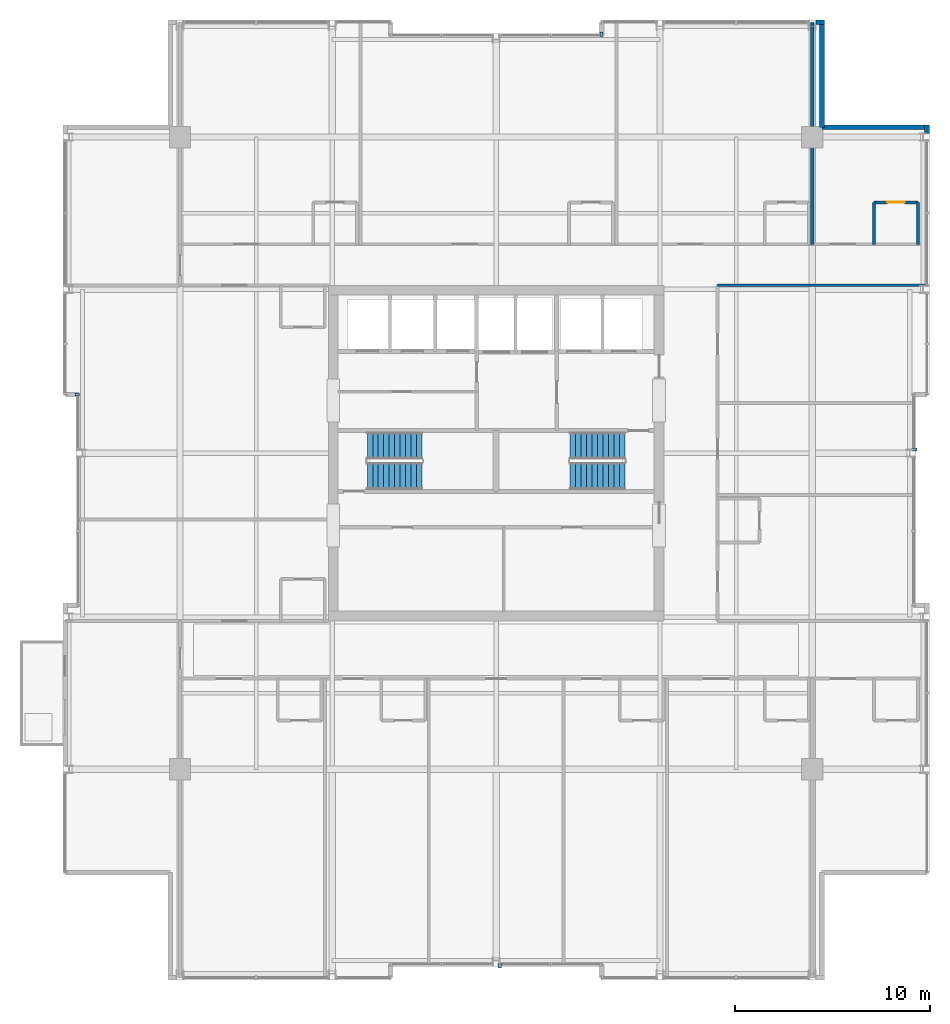
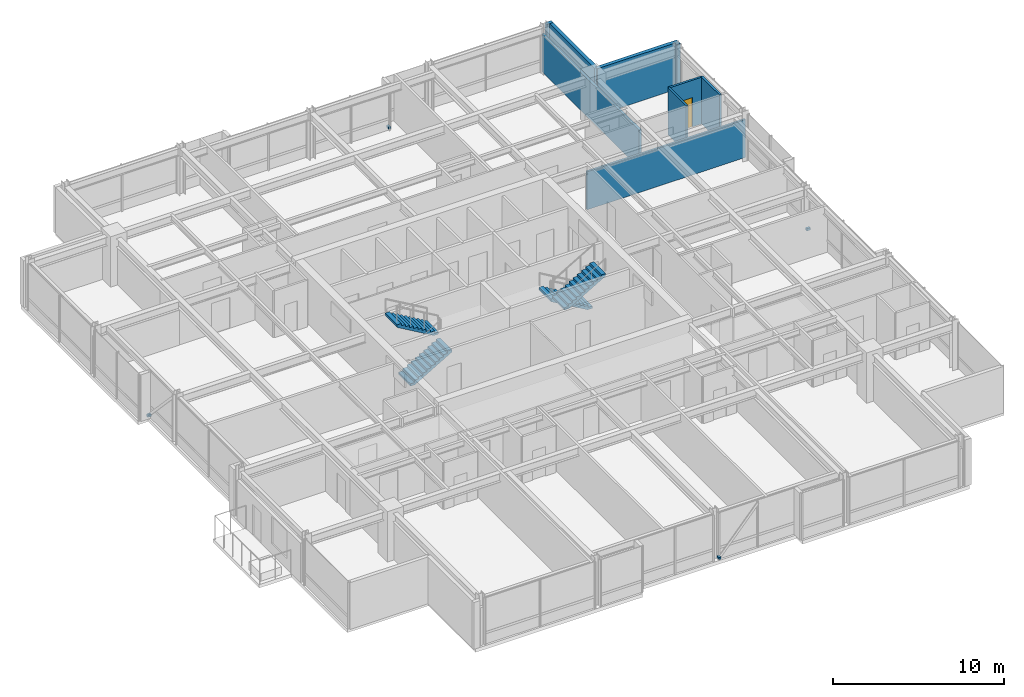
# One storey, part 29 of 32: 9 walls, 4 discrete accessories, 4 stair flights, 1 door, 1 opening, 2 elements without a shape of their own.
"""IFC4 building model written with IfcOpenShell, lengths in metres."""

from ifc_helpers import new_model, si_unit, direction, frame, frame_2d, origin, origin_2d, place, context, subcontext, project, spatial, polyline, rectangle, outline, extrude, material, layer, layer_set, type_object, element, fill, aggregate, save


model = new_model("IFC4")

# Units and contexts
model_context = context("Model", 3, precision=1e-05, world=origin(), true_north=direction((0.0, 1.0)))
body_context = subcontext(model_context, "Body", "Model", "MODEL_VIEW")
ifc_project = project(units=[si_unit("LENGTHUNIT", "METRE"), si_unit("AREAUNIT", "SQUARE_METRE"), si_unit("VOLUMEUNIT", "CUBIC_METRE"), si_unit("PLANEANGLEUNIT", "RADIAN"), si_unit("MASSUNIT", "GRAM", prefix="KILO")], contexts=[model_context])

# Site, building, storey
site_placement = place(None, origin())
site = spatial("IfcSite", under=ifc_project, at=site_placement, CompositionType="ELEMENT")
building_placement = place(site_placement, origin())
building = spatial("IfcBuilding", under=site, at=building_placement, Name="Drelvath Grand Hotel", CompositionType="ELEMENT")
storey_placement = place(building_placement, frame((0.0, 0.0, 226.699951171875)))
storey = spatial("IfcBuildingStorey", under=building, at=storey_placement, Name="L59", CompositionType="ELEMENT", Elevation=226.699951171875)

# Walls
ifc_material_1 = material(Name="Gypsum Fireboard Partition")
ifc_layer_1 = layer(ifc_material_1, 0.135009765625)
ifc_layer_set_1 = layer_set([ifc_layer_1], Name="Gypsum Fireboard Partition")
wall_type_1 = type_object("IfcWallType", Name="Corridor Fire Barrier Wall 135", PredefinedType="PARTITIONING", material=ifc_layer_set_1)
wall_1_placement = place(storey_placement, frame((11.35009765625, 35.60009765625, 0.0), z_axis=(0.0, 0.0, 1.0), x_axis=(1.0, 0.0, 0.0)))
element("IfcWall", 1, at=wall_1_placement, inside=storey, type_object=wall_type_1, Name="L59 North Gallery Inner East Wall", PredefinedType="PARTITIONING", context=body_context, shape_type="SweptSolid", body=[
    extrude(rectangle(XDim=10.72998046875, YDim=0.135009765625, at=frame_2d((5.364990234375, 0.0))), origin(), (0.0, 0.0, 1.0), 2.717529296875),
])
ifc_material_2 = material(Name="Moisture-Resistant Gypsum Board")
ifc_layer_2 = layer(ifc_material_2, 0.139892578125)
ifc_layer_set_2 = layer_set([ifc_layer_2], Name="Moisture-Resistant Gypsum Board")
wall_type_2 = type_object("IfcWallType", Name="En-Suite Plumbing Wall 140", PredefinedType="PLUMBINGWALL", material=ifc_layer_set_2)
for number, where, z_axis, x_axis, name in (
    (2, (19.3701171875, 37.699951171875, 0.0), (0.0, 0.0, 1.0), (0.0, 1.0, 0.0), "L59 En-Suite Left Wall"),
    (3, (21.6201171875, 37.699951171875, 0.0), (0.0, 0.0, 1.0), (0.0, 1.0, 0.0), "L59 En-Suite Right Wall"),
):
    element("IfcWall", number, at=place(storey_placement, frame(where, z_axis=z_axis, x_axis=x_axis)), inside=storey, type_object=wall_type_2, Name=name, PredefinedType="PLUMBINGWALL", context=body_context, shape_type="SweptSolid", body=[
        extrude(rectangle(XDim=2.150146484375, YDim=0.139892578125, at=frame_2d((1.0751953125, 0.0))), origin(), (0.0, 0.0, 1.0), 3.340087890625),
    ])

# Wall, opening, door
wall_2_placement = place(storey_placement, frame((19.3701171875, 39.85009765625, 0.0), z_axis=(0.0, 0.0, 1.0), x_axis=(1.0, 0.0, 0.0)))
wall_2 = element("IfcWall", 4, at=wall_2_placement, inside=storey, type_object=wall_type_2, Name="L59 En-Suite Front Wall", PredefinedType="PLUMBINGWALL", context=body_context, shape_type="SweptSolid", body=[
    extrude(rectangle(XDim=2.25, YDim=0.139892578125, at=frame_2d((1.125, 0.0))), origin(), (0.0, 0.0, 1.0), 3.340087890625),
])
opening_placement = place(wall_2_placement, frame((0.68505859375, 0.0, 0.0)))
opening = element("IfcOpeningElement", 5, at=opening_placement, cuts=wall_2, Name="Opening D-T4G3-021", PredefinedType="OPENING", context=body_context, shape_type="SweptSolid", body=[
    extrude(rectangle(XDim=0.8798828125, YDim=2.10009765625, at=frame_2d((0.43994140625, 1.050048828125))), frame((0.0, 0.079833984375, 0.0), z_axis=(0.0, -1.0, 0.0), x_axis=(1.0, 0.0, 0.0)), (0.0, 0.0, 1.0), 0.159912109375),
])
ifc_material_3 = material(Name="Hardwood Walnut Timber", Category="wood")
door_type = type_object("IfcDoorType", Name="En-Suite Bathroom Door 880x2100", OperationType="NOTDEFINED", PredefinedType="DOOR", material=ifc_material_3)
door_placement = place(opening_placement, origin())
door = element("IfcDoor", 6, at=door_placement, inside=storey, type_object=door_type, Name="L59 En-Suite Bathroom Door", OperationType="SINGLE_SWING_RIGHT", OverallHeight=2.10009765625, OverallWidth=0.8798828125, PredefinedType="DOOR", context=body_context, shape_type="SweptSolid", body=[
    extrude(rectangle(XDim=0.8798828125, YDim=2.10009765625, at=frame_2d((0.43994140625, 1.050048828125))), frame((0.0, 0.02490234375, 0.0), z_axis=(0.0, -1.0, 0.0), x_axis=(1.0, 0.0, 0.0)), (0.0, 0.0, 1.0), 0.050048828125),
])
fill(opening, door)

# Walls
ifc_material_4 = material(Name="Gypsum Acoustic Partition")
ifc_layer_3 = layer(ifc_material_4, 0.1650390625)
ifc_layer_set_3 = layer_set([ifc_layer_3], Name="Gypsum Acoustic Partition")
wall_type_3 = type_object("IfcWallType", Name="Suite Demising Wall 165", PredefinedType="PARTITIONING", material=ifc_layer_set_3)
wall_3_placement = place(storey_placement, frame((16.199951171875, 37.699951171875, 0.0), z_axis=(0.0, 0.0, 1.0), x_axis=(0.0, 1.0, 0.0)))
element("IfcWall", 7, at=wall_3_placement, inside=storey, type_object=wall_type_3, Name="L59 NE Suite Wall", PredefinedType="PARTITIONING", context=body_context, shape_type="SweptSolid", body=[
    extrude(rectangle(XDim=11.380126953125, YDim=0.1650390625, at=frame_2d((5.68994140625, 0.0))), origin(), (0.0, 0.0, 1.0), 2.7138671875),
])
ifc_material_5 = material(Name="Pale-Metal Insulated Aluminium Spandrel Assembly", Category="aluminium")
ifc_layer_4 = layer(ifc_material_5, 0.239990234375)
ifc_layer_set_4 = layer_set([ifc_layer_4], Name="Pale-Metal Insulated Aluminium Spandrel Assembly")
wall_type_4 = type_object("IfcWallType", Name="Tower Insulated Metal Spandrel Closure Wall 240", PredefinedType="STANDARD", material=ifc_layer_set_4)
for number, where, z_axis, x_axis, name in (
    (8, (22.080078125, 43.820068359375, 0.0), (0.0, 0.0, 1.0), (0.0, -1.0, 0.0), "L59 Corner Pier Spandrel Wall EN3"),
    (9, (16.38525390625, 49.080078125, 0.0), (0.0, 0.0, 1.0), (1.0, 0.0, 0.0), "L59 Corner Pier Spandrel Wall NE3"),
):
    element("IfcWall", number, at=place(storey_placement, frame(where, z_axis=z_axis, x_axis=x_axis)), inside=storey, type_object=wall_type_4, Name=name, PredefinedType="STANDARD", context=body_context, shape_type="SweptSolid", body=[
        extrude(rectangle(XDim=0.434814453125, YDim=0.239990234375, at=frame_2d((0.21728515625, 0.0))), origin(), (0.0, 0.0, 1.0), 3.340087890625),
    ])
for number, where, z_axis, x_axis, name in (
    (10, (16.699951171875, 48.9599609375, 0.0), (0.0, 0.0, 1.0), (0.0, -1.0, 0.0), "L59 Notched Corner Return Spandrel Wall CNE1"),
    (11, (16.699951171875, 43.699951171875, 0.0), (0.0, 0.0, 1.0), (1.0, 0.0, 0.0), "L59 Notched Corner Return Spandrel Wall CNE2"),
):
    element("IfcWall", number, at=place(storey_placement, frame(where, z_axis=z_axis, x_axis=x_axis)), inside=storey, type_object=wall_type_4, Name=name, PredefinedType="STANDARD", context=body_context, shape_type="SweptSolid", body=[
        extrude(rectangle(XDim=5.260009765625, YDim=0.239990234375, at=frame_2d((2.6298828125, 0.0))), origin(), (0.0, 0.0, 1.0), 3.340087890625),
    ])

# Stair, stair flights
ifc_material_6 = material(Name="Concrete C40/50", Category="concrete")
stair_type = type_object("IfcStairType", Name="Dogleg Exit Stair W1400-R163.6", PredefinedType="HALF_TURN_STAIR", material=ifc_material_6)
stair_1_placement = place(storey_placement, origin())
stair_1 = element("IfcStair", 12, at=stair_1_placement, inside=storey, type_object=stair_type, Name="L59 Core Exit Stair ST-1", PredefinedType="HALF_TURN_STAIR")
stair_flight_type = type_object("IfcStairFlightType", Name="Concrete Stair Flight W1400-R163.6", PredefinedType="STRAIGHT", material=ifc_material_6)
stair_flight_1_placement = place(storey_placement, frame((-6.60009765625, 25.820068359375, 0.0), z_axis=(0.0, 0.0, 1.0), x_axis=(1.0, 0.0, 0.0)))
stair_flight_1 = element("IfcStairFlight", 13, at=stair_flight_1_placement, type_object=stair_flight_type, Name="ST-1 flight 1", NumberOfRisers=11, NumberOfTreads=10, PredefinedType="STRAIGHT", RiserHeight=0.163636364, TreadLength=0.28, context=body_context, shape_type="SweptSolid", body=[
    extrude(outline(polyline([(0.0, 0.0), (0.0, 0.16357421875), (0.280029296875, 0.16357421875), (0.280029296875, 0.327392578125), (0.56005859375, 0.327392578125), (0.56005859375, 0.490966796875), (0.840087890625, 0.490966796875), (0.840087890625, 0.654541015625), (1.1201171875, 0.654541015625), (1.1201171875, 0.818115234375), (1.39990234375, 0.818115234375), (1.39990234375, 0.98193359375), (1.679931640625, 0.98193359375), (1.679931640625, 1.1455078125), (1.9599609375, 1.1455078125), (1.9599609375, 1.30908203125), (2.239990234375, 1.30908203125), (2.239990234375, 1.47265625), (2.52001953125, 1.47265625), (2.52001953125, 1.636474609375), (2.800048828125, 1.636474609375), (2.800048828125, 1.800048828125), (2.800048828125, 1.451171875), (0.31689453125, 0.0), (0.0, 0.0)])), frame((0.0, 0.699951171875, 0.0), z_axis=(0.0, -1.0, 0.0), x_axis=(1.0, 0.0, 0.0)), (0.0, 0.0, 1.0), 1.39990234375),
])
stair_flight_2_placement = place(storey_placement, frame((-3.800048828125, 27.3798828125, 1.800048828125), z_axis=(0.0, 0.0, 1.0), x_axis=(-1.0, 0.0, 0.0)))
stair_flight_2 = element("IfcStairFlight", 14, at=stair_flight_2_placement, type_object=stair_flight_type, Name="ST-1 flight 2", NumberOfRisers=11, NumberOfTreads=10, PredefinedType="STRAIGHT", RiserHeight=0.163636364, TreadLength=0.28, context=body_context, shape_type="SweptSolid", body=[
    extrude(outline(polyline([(0.0, 0.0), (0.0, 0.16357421875), (0.280029296875, 0.16357421875), (0.280029296875, 0.327392578125), (0.56005859375, 0.327392578125), (0.56005859375, 0.490966796875), (0.840087890625, 0.490966796875), (0.840087890625, 0.654541015625), (1.1201171875, 0.654541015625), (1.1201171875, 0.818115234375), (1.39990234375, 0.818115234375), (1.39990234375, 0.98193359375), (1.679931640625, 0.98193359375), (1.679931640625, 1.1455078125), (1.9599609375, 1.1455078125), (1.9599609375, 1.30908203125), (2.239990234375, 1.30908203125), (2.239990234375, 1.47265625), (2.52001953125, 1.47265625), (2.52001953125, 1.636474609375), (2.800048828125, 1.636474609375), (2.800048828125, 1.800048828125), (2.800048828125, 1.451171875), (0.31689453125, 0.0), (0.0, 0.0)])), frame((0.0, 0.699951171875, 0.0), z_axis=(0.0, -1.0, 0.0), x_axis=(1.0, 0.0, 0.0)), (0.0, 0.0, 1.0), 1.39990234375),
])
aggregate(stair_1, [stair_flight_1, stair_flight_2])

stair_2_placement = place(storey_placement, origin())
stair_2 = element("IfcStair", 15, at=stair_2_placement, inside=storey, type_object=stair_type, Name="L59 Core Exit Stair ST-2", PredefinedType="HALF_TURN_STAIR")
stair_flight_3_placement = place(storey_placement, frame((6.60009765625, 27.3798828125, 0.0), z_axis=(0.0, 0.0, 1.0), x_axis=(-1.0, 0.0, 0.0)))
stair_flight_3 = element("IfcStairFlight", 16, at=stair_flight_3_placement, type_object=stair_flight_type, Name="ST-2 flight 1", NumberOfRisers=11, NumberOfTreads=10, PredefinedType="STRAIGHT", RiserHeight=0.163636364, TreadLength=0.28, context=body_context, shape_type="SweptSolid", body=[
    extrude(outline(polyline([(0.0, 0.0), (0.0, 0.16357421875), (0.280029296875, 0.16357421875), (0.280029296875, 0.327392578125), (0.56005859375, 0.327392578125), (0.56005859375, 0.490966796875), (0.840087890625, 0.490966796875), (0.840087890625, 0.654541015625), (1.1201171875, 0.654541015625), (1.1201171875, 0.818115234375), (1.39990234375, 0.818115234375), (1.39990234375, 0.98193359375), (1.679931640625, 0.98193359375), (1.679931640625, 1.1455078125), (1.9599609375, 1.1455078125), (1.9599609375, 1.30908203125), (2.239990234375, 1.30908203125), (2.239990234375, 1.47265625), (2.52001953125, 1.47265625), (2.52001953125, 1.636474609375), (2.800048828125, 1.636474609375), (2.800048828125, 1.800048828125), (2.800048828125, 1.451171875), (0.31689453125, 0.0), (0.0, 0.0)])), frame((0.0, 0.699951171875, 0.0), z_axis=(0.0, -1.0, 0.0), x_axis=(1.0, 0.0, 0.0)), (0.0, 0.0, 1.0), 1.39990234375),
])
stair_flight_4_placement = place(storey_placement, frame((3.800048828125, 25.820068359375, 1.800048828125), z_axis=(0.0, 0.0, 1.0), x_axis=(1.0, 0.0, 0.0)))
stair_flight_4 = element("IfcStairFlight", 17, at=stair_flight_4_placement, type_object=stair_flight_type, Name="ST-2 flight 2", NumberOfRisers=11, NumberOfTreads=10, PredefinedType="STRAIGHT", RiserHeight=0.163636364, TreadLength=0.28, context=body_context, shape_type="SweptSolid", body=[
    extrude(outline(polyline([(0.0, 0.0), (0.0, 0.16357421875), (0.280029296875, 0.16357421875), (0.280029296875, 0.327392578125), (0.56005859375, 0.327392578125), (0.56005859375, 0.490966796875), (0.840087890625, 0.490966796875), (0.840087890625, 0.654541015625), (1.1201171875, 0.654541015625), (1.1201171875, 0.818115234375), (1.39990234375, 0.818115234375), (1.39990234375, 0.98193359375), (1.679931640625, 0.98193359375), (1.679931640625, 1.1455078125), (1.9599609375, 1.1455078125), (1.9599609375, 1.30908203125), (2.239990234375, 1.30908203125), (2.239990234375, 1.47265625), (2.52001953125, 1.47265625), (2.52001953125, 1.636474609375), (2.800048828125, 1.636474609375), (2.800048828125, 1.800048828125), (2.800048828125, 1.451171875), (0.31689453125, 0.0), (0.0, 0.0)])), frame((0.0, 0.699951171875, 0.0), z_axis=(0.0, -1.0, 0.0), x_axis=(1.0, 0.0, 0.0)), (0.0, 0.0, 1.0), 1.39990234375),
])
aggregate(stair_2, [stair_flight_3, stair_flight_4])

# Discrete accessories
ifc_material_7 = material(Name="Stainless Steel Grade 316", Category="steel")
discrete_accessory_type = type_object("IfcDiscreteAccessoryType", Name="Curtain Wall Fin Mounting Bracket Cleat", PredefinedType="BRACKET", material=ifc_material_7)
for number, where, z_axis, x_axis, name in (
    (18, (-21.4599609375, 30.0, 0.10009765625), (0.0, 0.0, 1.0), (0.0, 1.0, 0.0), "L59 Fin Mounting Bracket CW05-L59-WM2-1"),
    (19, (21.4599609375, 27.185302734375, 0.10009765625), (0.0, 0.0, 1.0), (0.0, -1.0, 0.0), "L59 Fin Mounting Bracket CW05-L59-EM2-1"),
    (20, (5.39990234375, 48.4599609375, 0.10009765625), (0.0, 0.0, 1.0), (1.0, 0.0, 0.0), "L59 Fin Mounting Bracket CW05-L59-NM2-1"),
    (21, (0.185302734375, 0.739990234375, 0.10009765625), (0.0, 0.0, 1.0), (-1.0, 0.0, 0.0), "L59 Fin Mounting Bracket CW05-L59-SM2-1"),
):
    element("IfcDiscreteAccessory", number, at=place(storey_placement, frame(where, z_axis=z_axis, x_axis=x_axis)), inside=storey, type_object=discrete_accessory_type, Name=name, PredefinedType="BRACKET", context=body_context, shape_type="SweptSolid", body=[
        extrude(rectangle(XDim=0.159912109375, YDim=0.239990234375, at=origin_2d()), origin(), (0.0, 0.0, 1.0), 0.159912109375),
    ])

save(model, "model.ifc")
